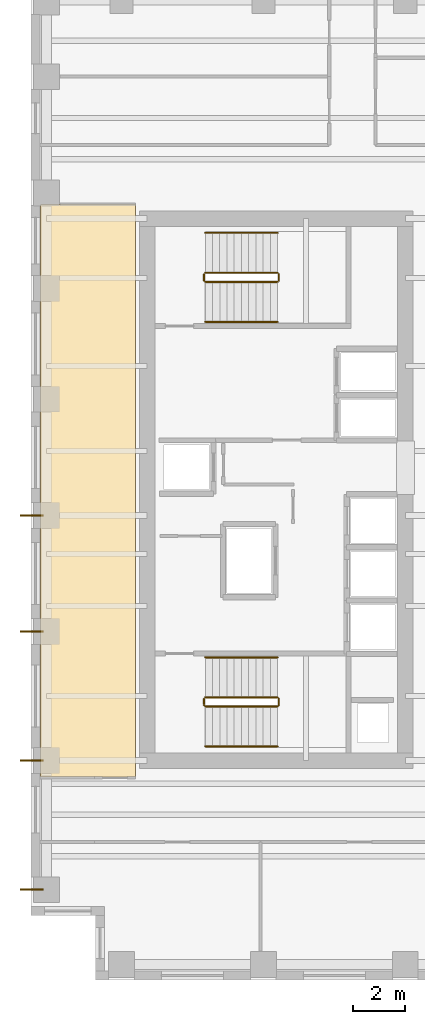
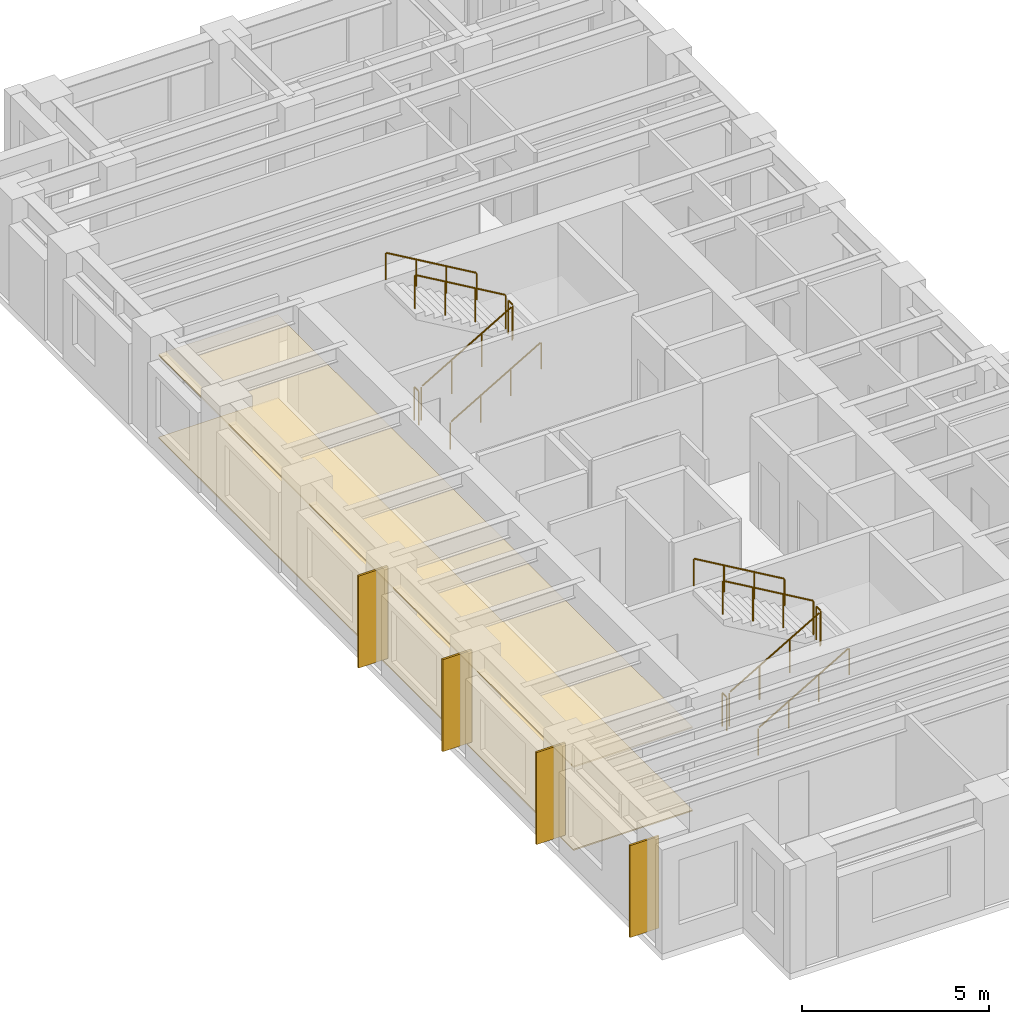
# One storey, part 10 of 11: 12 railings, 6 coverings.
"""IFC4 building model written with IfcOpenShell, lengths in metres."""

from ifc_helpers import new_model, si_unit, direction, frame, origin, origin_2d, place, context, subcontext, project, spatial, polyline, rectangle, circle, outline, extrude, source, transform, mapped, material, layer, layer_set, type_object, element, save


model = new_model("IFC4")

# Units and contexts
model_context = context("Model", 3, precision=1e-05, world=origin(), true_north=direction((0.0, 1.0)))
body_context = subcontext(model_context, "Body", "Model", "MODEL_VIEW")
ifc_project = project(units=[si_unit("LENGTHUNIT", "METRE"), si_unit("AREAUNIT", "SQUARE_METRE"), si_unit("VOLUMEUNIT", "CUBIC_METRE"), si_unit("PLANEANGLEUNIT", "RADIAN"), si_unit("MASSUNIT", "GRAM", prefix="KILO")], contexts=[model_context])

# Site, building, storey
site_placement = place(None, origin())
site = spatial("IfcSite", under=ifc_project, at=site_placement, CompositionType="ELEMENT")
building_placement = place(site_placement, origin())
building = spatial("IfcBuilding", under=site, at=building_placement, Name="Kharzan Plaza Tower", CompositionType="ELEMENT")
storey_placement = place(building_placement, frame((0.0, 0.0, 186.300048828125)))
storey = spatial("IfcBuildingStorey", under=building, at=storey_placement, Name="L50", CompositionType="ELEMENT", Elevation=186.300048828125)

# Coverings
ifc_material_1 = material(Name="Perforated Acoustic Mineral-Fibre Tile", Category="gypsum")
ifc_layer_1 = layer(ifc_material_1, 0.044921875)
ifc_layer_set_1 = layer_set([ifc_layer_1], Name="Perforated Acoustic Mineral-Fibre Tile")
covering_type_1 = type_object("IfcCoveringType", Name="COV-CEIL-ACT", PredefinedType="CEILING", material=ifc_layer_set_1)
covering_1_placement = place(storey_placement, frame((0.0, 0.0, 2.704833984375)))
element("IfcCovering", 1, at=covering_1_placement, inside=storey, type_object=covering_type_1, Name="L50 Suspended Acoustic Ceiling RW1", PredefinedType="CEILING", context=body_context, shape_type="SweptSolid", body=[
    extrude(outline(polyline([(0.360107421875, 7.860107421875), (4.0400390625, 7.860107421875), (4.0400390625, 30.0400390625), (0.360107421875, 30.0400390625), (0.360107421875, 7.860107421875)])), origin(), (0.0, 0.0, 1.0), 0.045166015625),
])
ifc_material_2 = material(Name="Honed Najran Granite Terrazzo", Category="masonry")
ifc_layer_2 = layer(ifc_material_2, 0.0400390625)
ifc_layer_set_2 = layer_set([ifc_layer_2], Name="Honed Najran Granite Terrazzo")
covering_type_2 = type_object("IfcCoveringType", Name="COV-FLOOR-STN", PredefinedType="FLOORING", material=ifc_layer_set_2)
covering_2_placement = place(storey_placement, origin())
element("IfcCovering", 2, at=covering_2_placement, inside=storey, type_object=covering_type_2, Name="L50 Honed Granite Terrazzo Flooring RW1", PredefinedType="FLOORING", context=body_context, shape_type="SweptSolid", body=[
    extrude(outline(polyline([(0.360107421875, 7.860107421875), (4.0400390625, 7.860107421875), (4.0400390625, 30.0400390625), (0.360107421875, 30.0400390625), (0.360107421875, 7.860107421875)])), origin(), (0.0, 0.0, 1.0), 0.0400390625),
])

# Railings
ifc_material_3 = material(Name="Painted Galvanized Architectural Steel", Category="steel")
ifc_layer_3 = layer(ifc_material_3, 0.074951171875)
ifc_layer_set_3 = layer_set([ifc_layer_3], Name="Painted Galvanized Architectural Steel")
railing_type_1 = type_object("IfcRailingType", Name="RL-GUARD-1120", PredefinedType="BALUSTRADE", material=ifc_layer_set_3)
shared_shape_1 = source(origin(), body_context, "Body", "SweptSolid", [
    extrude(circle(Radius=0.02392578125, at=origin_2d()), frame((0.0, 0.0263671875, 1.09619140625), z_axis=(0.0, 1.0, 0.0), x_axis=(-1.0, 0.0, 0.0)), (0.0, 0.0, 1.0), 0.197021484375),
    extrude(circle(Radius=0.02099609375, at=origin_2d()), origin(), (0.0, 0.0, 1.0), 1.072021484375),
    extrude(circle(Radius=0.02099609375, at=origin_2d()), frame((0.0, 0.25, 0.0)), (0.0, 0.0, 1.0), 1.072021484375),
])
for number, where, name in (
    (3, (9.60009765625, 10.64990234375, 1.800048828125), "L50 ST-1 stair guard 2"),
    (4, (6.699951171875, 10.64990234375, 0.0), "L50 ST-1 stair guard 4"),
    (5, (9.60009765625, 27.10009765625, 1.800048828125), "L50 ST-2 stair guard 2"),
    (6, (6.699951171875, 27.10009765625, 0.0), "L50 ST-2 stair guard 4"),
):
    element("IfcRailing", number, at=place(storey_placement, frame(where)), inside=storey, type_object=railing_type_1, Name=name, PredefinedType="BALUSTRADE", context=body_context, shape_type="MappedRepresentation", body=[
        mapped(shared_shape_1, transform((0.0, 0.0, 0.0), x_axis=(1.0, 0.0, 0.0), y_axis=(0.0, 1.0, 0.0), z_axis=(0.0, 0.0, 1.0))),
    ])

# Coverings
ifc_material_4 = material(Name="Honed Riyadh Limestone", Category="masonry")
ifc_layer_4 = layer(ifc_material_4, 0.06005859375)
ifc_layer_set_4 = layer_set([ifc_layer_4], Name="Honed Riyadh Limestone")
covering_type_3 = type_object("IfcCoveringType", Name="COV-CLAD-STONE", PredefinedType="CLADDING", material=ifc_layer_set_4)
shared_shape_2 = source(origin(), body_context, "Body", "SweptSolid", [
    extrude(rectangle(XDim=0.06005859375, YDim=0.89990234375, at=origin_2d()), origin(), (0.0, 0.0, 1.0), 3.0),
])
for number, where, z_axis, x_axis, name in (
    (7, (0.02001953125, 13.5, 0.099853515625), (0.0, 0.0, 1.0), (0.0, 1.0, 0.0), "L50 Limestone Pier Rainscreen Cladding TCW-135"),
    (8, (0.02001953125, 18.0, 0.099853515625), (0.0, 0.0, 1.0), (0.0, 1.0, 0.0), "L50 Limestone Pier Rainscreen Cladding TCW-180"),
    (9, (0.02001953125, 3.5, 0.099853515625), (0.0, 0.0, 1.0), (0.0, 1.0, 0.0), "L50 Limestone Pier Rainscreen Cladding TCW-35"),
    (10, (0.02001953125, 8.5, 0.099853515625), (0.0, 0.0, 1.0), (0.0, 1.0, 0.0), "L50 Limestone Pier Rainscreen Cladding TCW-85"),
):
    element("IfcCovering", number, at=place(storey_placement, frame(where, z_axis=z_axis, x_axis=x_axis)), inside=storey, type_object=covering_type_3, Name=name, PredefinedType="CLADDING", context=body_context, shape_type="MappedRepresentation", body=[
        mapped(shared_shape_2, transform((0.0, 0.0, 0.0), x_axis=(1.0, 0.0, 0.0), y_axis=(0.0, 1.0, 0.0), z_axis=(0.0, 0.0, 1.0))),
    ])

# Railings
shared_shape_3 = source(origin(), body_context, "Body", "SweptSolid", [
    extrude(circle(Radius=0.02392578125, at=origin_2d()), frame((0.02294921875, 0.0, 1.109375), z_axis=(0.863360870873, 0.0, 0.504586966384), x_axis=(0.0, 1.0, 0.0)), (0.0, 0.0, 1.0), 3.190185546875),
    extrude(circle(Radius=0.02099609375, at=origin_2d()), origin(), (0.0, 0.0, 1.0), 1.072021484375),
    extrude(circle(Radius=0.02099609375, at=origin_2d()), frame((0.933349609375, 0.0, 0.54541015625)), (0.0, 0.0, 1.0), 1.072021484375),
    extrude(circle(Radius=0.02099609375, at=origin_2d()), frame((1.86669921875, 0.0, 1.091064453125)), (0.0, 0.0, 1.0), 1.072021484375),
    extrude(circle(Radius=0.02099609375, at=origin_2d()), frame((2.800048828125, 0.0, 1.636474609375)), (0.0, 0.0, 1.0), 1.072021484375),
])
for number, where, name in (
    (11, (6.75, 10.60009765625, 0.16357421875), "L50 ST-1 stair guard 1"),
    (12, (6.75, 27.050048828125, 0.16357421875), "L50 ST-2 stair guard 1"),
):
    element("IfcRailing", number, at=place(storey_placement, frame(where)), inside=storey, type_object=railing_type_1, Name=name, PredefinedType="BALUSTRADE", context=body_context, shape_type="MappedRepresentation", body=[
        mapped(shared_shape_3, transform((0.0, 0.0, 0.0), x_axis=(1.0, 0.0, 0.0), y_axis=(0.0, 1.0, 0.0), z_axis=(0.0, 0.0, 1.0))),
    ])
ifc_material_5 = material(Name="Brushed Stainless Steel", Category="steel")
ifc_layer_5 = layer(ifc_material_5, 0.050048828125)
ifc_layer_set_5 = layer_set([ifc_layer_5], Name="Brushed Stainless Steel")
railing_type_2 = type_object("IfcRailingType", Name="RL-STAIR-HR920", PredefinedType="HANDRAIL", material=ifc_layer_set_5)
shared_shape_4 = source(origin(), body_context, "Body", "SweptSolid", [
    extrude(circle(Radius=0.02392578125, at=origin_2d()), frame((0.02294921875, 0.0, 0.88916015625), z_axis=(0.863360870873, 0.0, 0.504586966384), x_axis=(0.0, 1.0, 0.0)), (0.0, 0.0, 1.0), 3.190185546875),
    extrude(circle(Radius=0.02099609375, at=origin_2d()), origin(), (0.0, 0.0, 1.0), 0.851806640625),
    extrude(circle(Radius=0.02099609375, at=origin_2d()), frame((0.933349609375, 0.0, 0.54541015625)), (0.0, 0.0, 1.0), 0.851806640625),
    extrude(circle(Radius=0.02099609375, at=origin_2d()), frame((1.86669921875, 0.0, 1.091064453125)), (0.0, 0.0, 1.0), 0.851806640625),
    extrude(circle(Radius=0.02099609375, at=origin_2d()), frame((2.800048828125, 0.0, 1.636474609375)), (0.0, 0.0, 1.0), 0.851806640625),
])
for number, where, name in (
    (13, (6.75, 9.050048828125, 0.16357421875), "L50 ST-1 stair handrail 1"),
    (14, (6.75, 25.5, 0.16357421875), "L50 ST-2 stair handrail 1"),
):
    element("IfcRailing", number, at=place(storey_placement, frame(where)), inside=storey, type_object=railing_type_2, Name=name, PredefinedType="HANDRAIL", context=body_context, shape_type="MappedRepresentation", body=[
        mapped(shared_shape_4, transform((0.0, 0.0, 0.0), x_axis=(1.0, 0.0, 0.0), y_axis=(0.0, 1.0, 0.0), z_axis=(0.0, 0.0, 1.0))),
    ])
shared_shape_5 = source(origin(), body_context, "Body", "SweptSolid", [
    extrude(circle(Radius=0.02392578125, at=origin_2d()), frame((-0.02294921875, 0.0, 1.109375), z_axis=(-0.863393664356, 0.0, 0.504530851732), x_axis=(0.0, -1.0, 0.0)), (0.0, 0.0, 1.0), 3.190185546875),
    extrude(circle(Radius=0.02099609375, at=origin_2d()), origin(), (0.0, 0.0, 1.0), 1.072021484375),
    extrude(circle(Radius=0.02099609375, at=origin_2d()), frame((-0.933349609375, 0.0, 0.54541015625)), (0.0, 0.0, 1.0), 1.072021484375),
    extrude(circle(Radius=0.02099609375, at=origin_2d()), frame((-1.86669921875, 0.0, 1.0908203125)), (0.0, 0.0, 1.0), 1.072021484375),
    extrude(circle(Radius=0.02099609375, at=origin_2d()), frame((-2.800048828125, 0.0, 1.63623046875)), (0.0, 0.0, 1.0), 1.072021484375),
])
for number, where, name in (
    (15, (9.550048828125, 10.949951171875, 1.963623046875), "L50 ST-1 stair guard 3"),
    (16, (9.550048828125, 27.39990234375, 1.963623046875), "L50 ST-2 stair guard 3"),
):
    element("IfcRailing", number, at=place(storey_placement, frame(where)), inside=storey, type_object=railing_type_1, Name=name, PredefinedType="BALUSTRADE", context=body_context, shape_type="MappedRepresentation", body=[
        mapped(shared_shape_5, transform((0.0, 0.0, 0.0), x_axis=(1.0, 0.0, 0.0), y_axis=(0.0, 1.0, 0.0), z_axis=(0.0, 0.0, 1.0))),
    ])
shared_shape_6 = source(origin(), body_context, "Body", "SweptSolid", [
    extrude(circle(Radius=0.02392578125, at=origin_2d()), frame((-0.02294921875, 0.0, 0.88916015625), z_axis=(-0.863393664356, 0.0, 0.504530851732), x_axis=(0.0, -1.0, 0.0)), (0.0, 0.0, 1.0), 3.190185546875),
    extrude(circle(Radius=0.02099609375, at=origin_2d()), origin(), (0.0, 0.0, 1.0), 0.851806640625),
    extrude(circle(Radius=0.02099609375, at=origin_2d()), frame((-0.933349609375, 0.0, 0.54541015625)), (0.0, 0.0, 1.0), 0.851806640625),
    extrude(circle(Radius=0.02099609375, at=origin_2d()), frame((-1.86669921875, 0.0, 1.0908203125)), (0.0, 0.0, 1.0), 0.851806640625),
    extrude(circle(Radius=0.02099609375, at=origin_2d()), frame((-2.800048828125, 0.0, 1.63623046875)), (0.0, 0.0, 1.0), 0.851806640625),
])
for number, where, name in (
    (17, (9.550048828125, 12.5, 1.963623046875), "L50 ST-1 stair handrail 2"),
    (18, (9.550048828125, 28.949951171875, 1.963623046875), "L50 ST-2 stair handrail 2"),
):
    element("IfcRailing", number, at=place(storey_placement, frame(where)), inside=storey, type_object=railing_type_2, Name=name, PredefinedType="HANDRAIL", context=body_context, shape_type="MappedRepresentation", body=[
        mapped(shared_shape_6, transform((0.0, 0.0, 0.0), x_axis=(1.0, 0.0, 0.0), y_axis=(0.0, 1.0, 0.0), z_axis=(0.0, 0.0, 1.0))),
    ])

save(model, "model.ifc")
